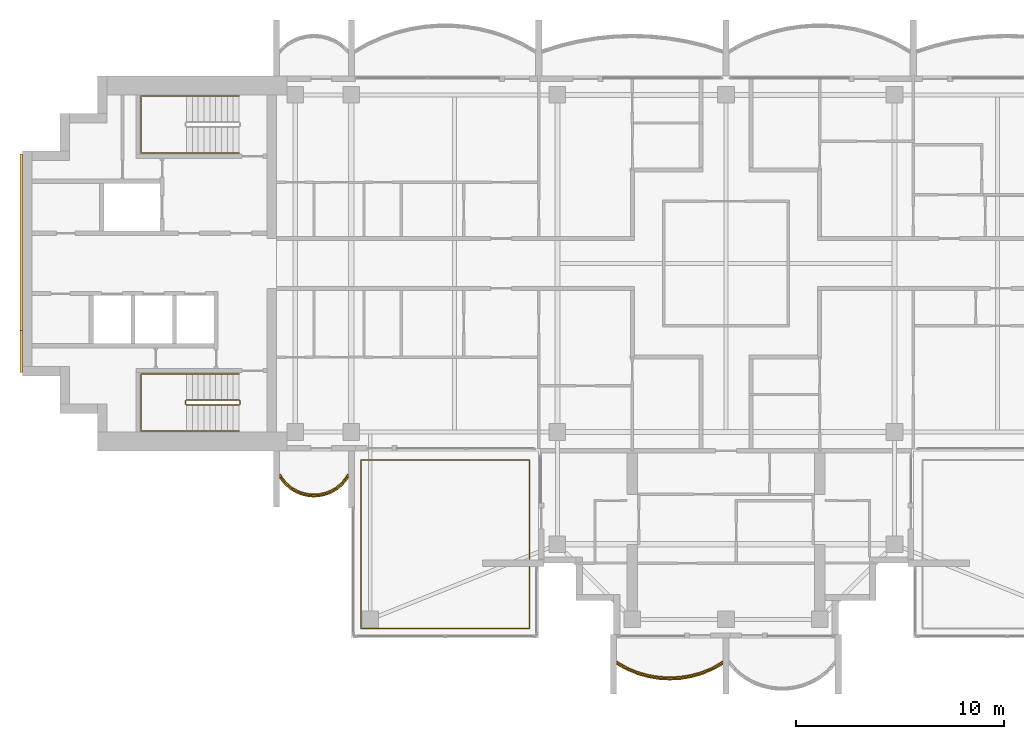
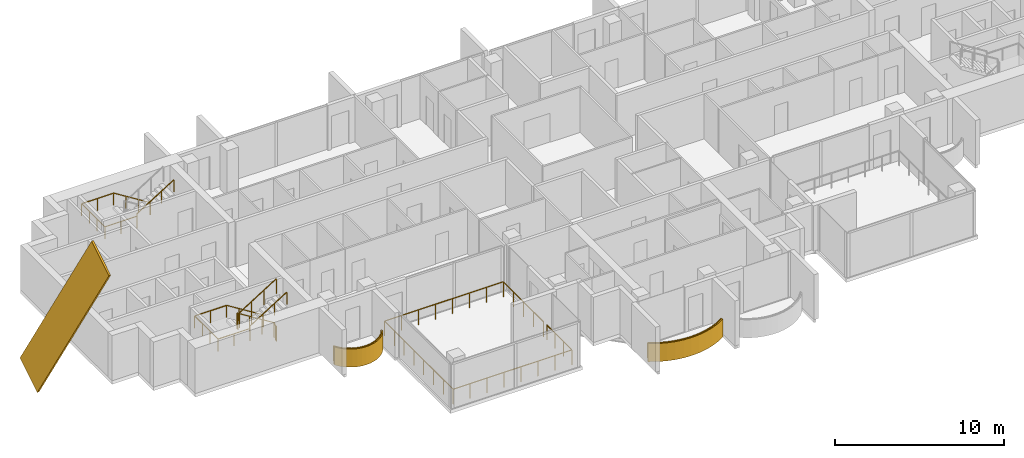
# One storey, part 14 of 17: 6 railings, 3 coverings.
"""IFC4 building model written with IfcOpenShell, lengths in metres."""

from ifc_helpers import new_model, si_unit, direction, frame, origin, origin_2d, place, context, subcontext, project, spatial, polyline, rectangle, outline, extrude, material, layer, layer_set, material_profile, profile_set, type_object, element, save


model = new_model("IFC4")

# Units and contexts
model_context = context("Model", 3, precision=1e-05, world=origin(), true_north=direction((0.0, 1.0)))
body_context = subcontext(model_context, "Body", "Model", "MODEL_VIEW")
ifc_project = project(units=[si_unit("LENGTHUNIT", "METRE"), si_unit("AREAUNIT", "SQUARE_METRE"), si_unit("VOLUMEUNIT", "CUBIC_METRE"), si_unit("PLANEANGLEUNIT", "RADIAN"), si_unit("MASSUNIT", "GRAM", prefix="KILO")], contexts=[model_context])

# Site, building, storey
site_placement = place(None, origin())
site = spatial("IfcSite", under=ifc_project, at=site_placement, CompositionType="ELEMENT")
building_placement = place(site_placement, origin())
building = spatial("IfcBuilding", under=site, at=building_placement, Name="Perihelion Cross Residences", CompositionType="ELEMENT")
storey_placement = place(building_placement, frame((0.0, 0.0, 278.0)))
storey = spatial("IfcBuildingStorey", under=building, at=storey_placement, Name="L71", CompositionType="ELEMENT", Elevation=278.0)

# Coverings
ifc_material_1 = material(Name="Bronze anodised aluminium", Category="aluminium")
ifc_layer = layer(ifc_material_1, 0.070068359375)
ifc_layer_set = layer_set([ifc_layer], Name="Balcony fascia 1300")
covering_type_1 = type_object("IfcCoveringType", Name="Balcony fascia 1300", PredefinedType="CLADDING", material=ifc_layer_set)
covering_1_placement = place(storey_placement, frame((0.0, 0.0, -0.199951171875)))
element("IfcCovering", 1, at=covering_1_placement, inside=storey, type_object=covering_type_1, Name="Fascia BF1 L71 west side south bay 1", PredefinedType="CLADDING", context=body_context, shape_type="SweptSolid", body=[
    extrude(outline(polyline([(-21.226318359375, -10.616455078125), (-20.94091796875, -10.86328125), (-20.655517578125, -11.031494140625), (-20.370361328125, -11.142578125), (-20.085205078125, -11.206298828125), (-19.800048828125, -11.22705078125), (-19.514892578125, -11.206298828125), (-19.229736328125, -11.142578125), (-18.9443359375, -11.031494140625), (-18.6591796875, -10.86328125), (-18.373779296875, -10.616455078125), (-18.14990234375, -10.31689453125), (-18.14990234375, -10.199951171875), (-18.425048828125, -10.568603515625), (-18.699951171875, -10.806396484375), (-18.97509765625, -10.96875), (-19.25, -11.07568359375), (-19.52490234375, -11.136962890625), (-19.800048828125, -11.156982421875), (-20.074951171875, -11.136962890625), (-20.35009765625, -11.07568359375), (-20.625, -10.96875), (-20.89990234375, -10.806396484375), (-21.175048828125, -10.568603515625), (-21.449951171875, -10.199951171875), (-21.449951171875, -10.31689453125), (-21.226318359375, -10.616455078125)])), origin(), (0.0, 0.0, 1.0), 1.300048828125),
])
covering_2_placement = place(storey_placement, frame((0.0, 0.0, -0.199951171875)))
element("IfcCovering", 2, at=covering_2_placement, inside=storey, type_object=covering_type_1, Name="Fascia BF1 L71 south tip south bay 1", PredefinedType="CLADDING", context=body_context, shape_type="SweptSolid", body=[
    extrude(outline(polyline([(-4.7705078125, -19.54833984375), (-4.2529296875, -19.7607421875), (-3.735107421875, -19.906494140625), (-3.217529296875, -19.991943359375), (-2.699951171875, -20.02001953125), (-2.182373046875, -19.991943359375), (-1.664794921875, -19.906494140625), (-1.147216796875, -19.7607421875), (-0.629638671875, -19.54833984375), (-0.14990234375, -19.2802734375), (-0.14990234375, -19.199951171875), (-0.659912109375, -19.4853515625), (-1.169921875, -19.694580078125), (-1.679931640625, -19.838134765625), (-2.18994140625, -19.92236328125), (-2.699951171875, -19.949951171875), (-3.2099609375, -19.92236328125), (-3.719970703125, -19.838134765625), (-4.22998046875, -19.694580078125), (-4.739990234375, -19.4853515625), (-5.25, -19.199951171875), (-5.25, -19.2802734375), (-4.7705078125, -19.54833984375)])), origin(), (0.0, 0.0, 1.0), 1.300048828125),
])

# Railings
ifc_material_2 = material(Name="Bronze anodised aluminium", Category="aluminium")
railing_type_1 = type_object("IfcRailingType", Name="Balcony guard 1100", PredefinedType="GUARDRAIL", material=ifc_material_2)
railing_1_placement = place(storey_placement, frame((-21.425048828125, -10.139892578125, 0.0)))
element("IfcRailing", 3, at=railing_1_placement, inside=storey, type_object=railing_type_1, Name="Guard GU1 L71 west side south bay 1 balcony", PredefinedType="GUARDRAIL", context=body_context, shape_type="SweptSolid", body=[
    extrude(rectangle(XDim=0.048095703125, YDim=0.048095703125, at=origin_2d()), frame((0.0, 0.0, 1.076171875), z_axis=(0.561260132269, -0.827639452857, 0.0), x_axis=(0.827639452857, 0.561260132269, 0.0)), (0.0, 0.0, 1.0), 0.4453125),
    extrude(rectangle(XDim=0.048095703125, YDim=0.048095703125, at=origin_2d()), frame((0.25, -0.36865234375, 1.076171875), z_axis=(0.756596535164, -0.653882009982, 0.0), x_axis=(0.653882009982, 0.756596535164, 0.0)), (0.0, 0.0, 1.0), 0.36376953125),
    extrude(rectangle(XDim=0.048095703125, YDim=0.048095703125, at=origin_2d()), frame((0.525146484375, -0.6064453125, 1.076171875), z_axis=(0.861048292884, -0.508523192511, 0.0), x_axis=(0.508523192511, 0.861048292884, 0.0)), (0.0, 0.0, 1.0), 0.3193359375),
    extrude(rectangle(XDim=0.048095703125, YDim=0.048095703125, at=origin_2d()), frame((0.800048828125, -0.768798828125, 1.076171875), z_axis=(0.931973602183, -0.362526143656, 0.0), x_axis=(0.362526143656, 0.931973602183, 0.0)), (0.0, 0.0, 1.0), 0.294921875),
    extrude(rectangle(XDim=0.048095703125, YDim=0.048095703125, at=origin_2d()), frame((1.074951171875, -0.875732421875, 1.076171875), z_axis=(0.976085059389, -0.21738895289, 0.0), x_axis=(0.21738895289, 0.976085059389, 0.0)), (0.0, 0.0, 1.0), 0.281982421875),
    extrude(rectangle(XDim=0.048095703125, YDim=0.048095703125, at=origin_2d()), frame((1.35009765625, -0.93701171875, 1.076171875), z_axis=(0.997358821833, -0.072631814734, 0.0), x_axis=(0.072631814734, 0.997358821833, 0.0)), (0.0, 0.0, 1.0), 0.275634765625),
    extrude(rectangle(XDim=0.048095703125, YDim=0.048095703125, at=origin_2d()), frame((1.625, -0.95703125, 1.076171875), z_axis=(0.997363488337, 0.072567707226, 0.0), x_axis=(-0.072567707226, 0.997363488337, 0.0)), (0.0, 0.0, 1.0), 0.27587890625),
    extrude(rectangle(XDim=0.048095703125, YDim=0.048095703125, at=origin_2d()), frame((1.900146484375, -0.93701171875, 1.076171875), z_axis=(0.976044077717, 0.217572880557, 0.0), x_axis=(-0.217572880557, 0.976044077717, 0.0)), (0.0, 0.0, 1.0), 0.28173828125),
    extrude(rectangle(XDim=0.048095703125, YDim=0.048095703125, at=origin_2d()), frame((2.175048828125, -0.875732421875, 1.076171875), z_axis=(0.931973602183, 0.362526143656, 0.0), x_axis=(-0.362526143656, 0.931973602183, 0.0)), (0.0, 0.0, 1.0), 0.294921875),
    extrude(rectangle(XDim=0.048095703125, YDim=0.048095703125, at=origin_2d()), frame((2.449951171875, -0.768798828125, 1.076171875), z_axis=(0.861245845072, 0.508188542123, 0.0), x_axis=(-0.508188542123, 0.861245845072, 0.0)), (0.0, 0.0, 1.0), 0.319580078125),
    extrude(rectangle(XDim=0.048095703125, YDim=0.048095703125, at=origin_2d()), frame((2.72509765625, -0.6064453125, 1.076171875), z_axis=(0.756309278473, 0.654214242658, 0.0), x_axis=(-0.654214242658, 0.756309278473, 0.0)), (0.0, 0.0, 1.0), 0.363525390625),
    extrude(rectangle(XDim=0.048095703125, YDim=0.048095703125, at=origin_2d()), frame((3.0, -0.36865234375, 1.076171875), z_axis=(0.561260132269, 0.827639452857, 0.0), x_axis=(-0.827639452857, 0.561260132269, 0.0)), (0.0, 0.0, 1.0), 0.4453125),
    extrude(rectangle(XDim=0.0419921875, YDim=0.0419921875, at=origin_2d()), origin(), (0.0, 0.0, 1.0), 1.052001953125),
    extrude(rectangle(XDim=0.0419921875, YDim=0.0419921875, at=origin_2d()), frame((0.25, -0.36865234375, 0.0)), (0.0, 0.0, 1.0), 1.052001953125),
    extrude(rectangle(XDim=0.0419921875, YDim=0.0419921875, at=origin_2d()), frame((0.525146484375, -0.6064453125, 0.0)), (0.0, 0.0, 1.0), 1.052001953125),
    extrude(rectangle(XDim=0.0419921875, YDim=0.0419921875, at=origin_2d()), frame((0.800048828125, -0.768798828125, 0.0)), (0.0, 0.0, 1.0), 1.052001953125),
    extrude(rectangle(XDim=0.0419921875, YDim=0.0419921875, at=origin_2d()), frame((1.074951171875, -0.875732421875, 0.0)), (0.0, 0.0, 1.0), 1.052001953125),
    extrude(rectangle(XDim=0.0419921875, YDim=0.0419921875, at=origin_2d()), frame((1.35009765625, -0.93701171875, 0.0)), (0.0, 0.0, 1.0), 1.052001953125),
    extrude(rectangle(XDim=0.0419921875, YDim=0.0419921875, at=origin_2d()), frame((1.625, -0.95703125, 0.0)), (0.0, 0.0, 1.0), 1.052001953125),
    extrude(rectangle(XDim=0.0419921875, YDim=0.0419921875, at=origin_2d()), frame((1.900146484375, -0.93701171875, 0.0)), (0.0, 0.0, 1.0), 1.052001953125),
    extrude(rectangle(XDim=0.0419921875, YDim=0.0419921875, at=origin_2d()), frame((2.175048828125, -0.875732421875, 0.0)), (0.0, 0.0, 1.0), 1.052001953125),
    extrude(rectangle(XDim=0.0419921875, YDim=0.0419921875, at=origin_2d()), frame((2.449951171875, -0.768798828125, 0.0)), (0.0, 0.0, 1.0), 1.052001953125),
    extrude(rectangle(XDim=0.0419921875, YDim=0.0419921875, at=origin_2d()), frame((2.72509765625, -0.6064453125, 0.0)), (0.0, 0.0, 1.0), 1.052001953125),
    extrude(rectangle(XDim=0.0419921875, YDim=0.0419921875, at=origin_2d()), frame((3.0, -0.36865234375, 0.0)), (0.0, 0.0, 1.0), 1.052001953125),
    extrude(rectangle(XDim=0.0419921875, YDim=0.0419921875, at=origin_2d()), frame((3.25, 0.0, 0.0)), (0.0, 0.0, 1.0), 1.052001953125),
])
railing_2_placement = place(storey_placement, frame((-5.22509765625, -19.139892578125, 0.0)))
element("IfcRailing", 4, at=railing_2_placement, inside=storey, type_object=railing_type_1, Name="Guard GU1 L71 south tip south bay 1 balcony", PredefinedType="GUARDRAIL", context=body_context, shape_type="SweptSolid", body=[
    extrude(rectangle(XDim=0.048095703125, YDim=0.048095703125, at=origin_2d()), frame((0.0, 0.0, 1.076171875), z_axis=(0.861900760591, -0.507076995033, 0.0), x_axis=(0.507076995033, 0.861900760591, 0.0)), (0.0, 0.0, 1.0), 0.562744140625),
    extrude(rectangle(XDim=0.048095703125, YDim=0.048095703125, at=origin_2d()), frame((0.485107421875, -0.285400390625, 1.076171875), z_axis=(0.925172605972, -0.379546636342, 0.0), x_axis=(0.379546636342, 0.925172605972, 0.0)), (0.0, 0.0, 1.0), 0.55126953125),
    extrude(rectangle(XDim=0.048095703125, YDim=0.048095703125, at=origin_2d()), frame((0.9951171875, -0.49462890625, 1.076171875), z_axis=(0.962474364231, -0.271372618732, 0.0), x_axis=(0.271372618732, 0.962474364231, 0.0)), (0.0, 0.0, 1.0), 0.52978515625),
    extrude(rectangle(XDim=0.048095703125, YDim=0.048095703125, at=origin_2d()), frame((1.505126953125, -0.638427734375, 1.076171875), z_axis=(0.986711211531, -0.162483799314, 0.0), x_axis=(0.162483799314, 0.986711211531, 0.0)), (0.0, 0.0, 1.0), 0.516845703125),
    extrude(rectangle(XDim=0.048095703125, YDim=0.048095703125, at=origin_2d()), frame((2.01513671875, -0.722412109375, 1.076171875), z_axis=(0.998540183677, -0.05401390175, 0.0), x_axis=(0.05401390175, 0.998540183677, 0.0)), (0.0, 0.0, 1.0), 0.5107421875),
    extrude(rectangle(XDim=0.048095703125, YDim=0.048095703125, at=origin_2d()), frame((2.525146484375, -0.75, 1.076171875), z_axis=(0.998540183677, 0.05401390175, 0.0), x_axis=(-0.05401390175, 0.998540183677, 0.0)), (0.0, 0.0, 1.0), 0.5107421875),
    extrude(rectangle(XDim=0.048095703125, YDim=0.048095703125, at=origin_2d()), frame((3.03515625, -0.722412109375, 1.076171875), z_axis=(0.986711211531, 0.162483799314, 0.0), x_axis=(-0.162483799314, 0.986711211531, 0.0)), (0.0, 0.0, 1.0), 0.516845703125),
    extrude(rectangle(XDim=0.048095703125, YDim=0.048095703125, at=origin_2d()), frame((3.545166015625, -0.638427734375, 1.076171875), z_axis=(0.962474364231, 0.271372618732, 0.0), x_axis=(-0.271372618732, 0.962474364231, 0.0)), (0.0, 0.0, 1.0), 0.52978515625),
    extrude(rectangle(XDim=0.048095703125, YDim=0.048095703125, at=origin_2d()), frame((4.05517578125, -0.49462890625, 1.076171875), z_axis=(0.925172605972, 0.379546636342, 0.0), x_axis=(-0.379546636342, 0.925172605972, 0.0)), (0.0, 0.0, 1.0), 0.55126953125),
    extrude(rectangle(XDim=0.048095703125, YDim=0.048095703125, at=origin_2d()), frame((4.565185546875, -0.285400390625, 1.076171875), z_axis=(0.861789164031, 0.507266632806, 0.0), x_axis=(-0.507266632806, 0.861789164031, 0.0)), (0.0, 0.0, 1.0), 0.562744140625),
    extrude(rectangle(XDim=0.0419921875, YDim=0.0419921875, at=origin_2d()), origin(), (0.0, 0.0, 1.0), 1.052001953125),
    extrude(rectangle(XDim=0.0419921875, YDim=0.0419921875, at=origin_2d()), frame((0.485107421875, -0.285400390625, 0.0)), (0.0, 0.0, 1.0), 1.052001953125),
    extrude(rectangle(XDim=0.0419921875, YDim=0.0419921875, at=origin_2d()), frame((0.9951171875, -0.49462890625, 0.0)), (0.0, 0.0, 1.0), 1.052001953125),
    extrude(rectangle(XDim=0.0419921875, YDim=0.0419921875, at=origin_2d()), frame((1.505126953125, -0.638427734375, 0.0)), (0.0, 0.0, 1.0), 1.052001953125),
    extrude(rectangle(XDim=0.0419921875, YDim=0.0419921875, at=origin_2d()), frame((2.01513671875, -0.722412109375, 0.0)), (0.0, 0.0, 1.0), 1.052001953125),
    extrude(rectangle(XDim=0.0419921875, YDim=0.0419921875, at=origin_2d()), frame((2.525146484375, -0.75, 0.0)), (0.0, 0.0, 1.0), 1.052001953125),
    extrude(rectangle(XDim=0.0419921875, YDim=0.0419921875, at=origin_2d()), frame((3.03515625, -0.722412109375, 0.0)), (0.0, 0.0, 1.0), 1.052001953125),
    extrude(rectangle(XDim=0.0419921875, YDim=0.0419921875, at=origin_2d()), frame((3.545166015625, -0.638427734375, 0.0)), (0.0, 0.0, 1.0), 1.052001953125),
    extrude(rectangle(XDim=0.0419921875, YDim=0.0419921875, at=origin_2d()), frame((4.05517578125, -0.49462890625, 0.0)), (0.0, 0.0, 1.0), 1.052001953125),
    extrude(rectangle(XDim=0.0419921875, YDim=0.0419921875, at=origin_2d()), frame((4.565185546875, -0.285400390625, 0.0)), (0.0, 0.0, 1.0), 1.052001953125),
    extrude(rectangle(XDim=0.0419921875, YDim=0.0419921875, at=origin_2d()), frame((5.050048828125, 0.0, 0.0)), (0.0, 0.0, 1.0), 1.052001953125),
])
railing_3_placement = place(storey_placement, frame((-9.449951171875, -14.590087890625, 0.0)))
element("IfcRailing", 5, at=railing_3_placement, inside=storey, type_object=railing_type_1, Name="Guard GU1 L71 pocket south-west 1", PredefinedType="GUARDRAIL", context=body_context, shape_type="SweptSolid", body=[
    extrude(rectangle(XDim=0.048095703125, YDim=0.048095703125, at=origin_2d()), frame((0.0, 0.0, 1.076171875), z_axis=(0.0, -1.0, 0.0), x_axis=(1.0, 0.0, 0.0)), (0.0, 0.0, 1.0), 2.9599609375),
    extrude(rectangle(XDim=0.048095703125, YDim=0.048095703125, at=origin_2d()), frame((0.0, -2.9599609375, 1.076171875), z_axis=(-1.0, 0.0, 0.0), x_axis=(0.0, -1.0, 0.0)), (0.0, 0.0, 1.0), 8.10009765625),
    extrude(rectangle(XDim=0.048095703125, YDim=0.048095703125, at=origin_2d()), frame((-8.10009765625, -2.9599609375, 1.076171875), z_axis=(0.0, 1.0, 0.0), x_axis=(-1.0, 0.0, 0.0)), (0.0, 0.0, 1.0), 8.10009765625),
    extrude(rectangle(XDim=0.048095703125, YDim=0.048095703125, at=origin_2d()), frame((-8.10009765625, 5.14013671875, 1.076171875), z_axis=(1.0, 0.0, 0.0), x_axis=(0.0, 1.0, 0.0)), (0.0, 0.0, 1.0), 8.10009765625),
    extrude(rectangle(XDim=0.048095703125, YDim=0.048095703125, at=origin_2d()), frame((0.0, 5.14013671875, 1.076171875), z_axis=(0.0, -1.0, 0.0), x_axis=(1.0, 0.0, 0.0)), (0.0, 0.0, 1.0), 4.760009765625),
    extrude(rectangle(XDim=0.0419921875, YDim=0.0419921875, at=origin_2d()), origin(), (0.0, 0.0, 1.0), 1.052001953125),
    extrude(rectangle(XDim=0.0419921875, YDim=0.0419921875, at=origin_2d()), frame((0.0, -0.986572265625, 0.0)), (0.0, 0.0, 1.0), 1.052001953125),
    extrude(rectangle(XDim=0.0419921875, YDim=0.0419921875, at=origin_2d()), frame((0.0, -1.973388671875, 0.0)), (0.0, 0.0, 1.0), 1.052001953125),
    extrude(rectangle(XDim=0.0419921875, YDim=0.0419921875, at=origin_2d()), frame((0.0, -2.9599609375, 0.0)), (0.0, 0.0, 1.0), 1.052001953125),
    extrude(rectangle(XDim=0.0419921875, YDim=0.0419921875, at=origin_2d()), frame((-1.1572265625, -2.9599609375, 0.0)), (0.0, 0.0, 1.0), 1.052001953125),
    extrude(rectangle(XDim=0.0419921875, YDim=0.0419921875, at=origin_2d()), frame((-2.314208984375, -2.9599609375, 0.0)), (0.0, 0.0, 1.0), 1.052001953125),
    extrude(rectangle(XDim=0.0419921875, YDim=0.0419921875, at=origin_2d()), frame((-3.471435546875, -2.9599609375, 0.0)), (0.0, 0.0, 1.0), 1.052001953125),
    extrude(rectangle(XDim=0.0419921875, YDim=0.0419921875, at=origin_2d()), frame((-4.628662109375, -2.9599609375, 0.0)), (0.0, 0.0, 1.0), 1.052001953125),
    extrude(rectangle(XDim=0.0419921875, YDim=0.0419921875, at=origin_2d()), frame((-5.785888671875, -2.9599609375, 0.0)), (0.0, 0.0, 1.0), 1.052001953125),
    extrude(rectangle(XDim=0.0419921875, YDim=0.0419921875, at=origin_2d()), frame((-6.94287109375, -2.9599609375, 0.0)), (0.0, 0.0, 1.0), 1.052001953125),
    extrude(rectangle(XDim=0.0419921875, YDim=0.0419921875, at=origin_2d()), frame((-8.10009765625, -2.9599609375, 0.0)), (0.0, 0.0, 1.0), 1.052001953125),
    extrude(rectangle(XDim=0.0419921875, YDim=0.0419921875, at=origin_2d()), frame((-8.10009765625, -1.802734375, 0.0)), (0.0, 0.0, 1.0), 1.052001953125),
    extrude(rectangle(XDim=0.0419921875, YDim=0.0419921875, at=origin_2d()), frame((-8.10009765625, -0.645751953125, 0.0)), (0.0, 0.0, 1.0), 1.052001953125),
    extrude(rectangle(XDim=0.0419921875, YDim=0.0419921875, at=origin_2d()), frame((-8.10009765625, 0.511474609375, 0.0)), (0.0, 0.0, 1.0), 1.052001953125),
    extrude(rectangle(XDim=0.0419921875, YDim=0.0419921875, at=origin_2d()), frame((-8.10009765625, 1.668701171875, 0.0)), (0.0, 0.0, 1.0), 1.052001953125),
    extrude(rectangle(XDim=0.0419921875, YDim=0.0419921875, at=origin_2d()), frame((-8.10009765625, 2.825927734375, 0.0)), (0.0, 0.0, 1.0), 1.052001953125),
    extrude(rectangle(XDim=0.0419921875, YDim=0.0419921875, at=origin_2d()), frame((-8.10009765625, 3.98291015625, 0.0)), (0.0, 0.0, 1.0), 1.052001953125),
    extrude(rectangle(XDim=0.0419921875, YDim=0.0419921875, at=origin_2d()), frame((-8.10009765625, 5.14013671875, 0.0)), (0.0, 0.0, 1.0), 1.052001953125),
    extrude(rectangle(XDim=0.0419921875, YDim=0.0419921875, at=origin_2d()), frame((-6.94287109375, 5.14013671875, 0.0)), (0.0, 0.0, 1.0), 1.052001953125),
    extrude(rectangle(XDim=0.0419921875, YDim=0.0419921875, at=origin_2d()), frame((-5.785888671875, 5.14013671875, 0.0)), (0.0, 0.0, 1.0), 1.052001953125),
    extrude(rectangle(XDim=0.0419921875, YDim=0.0419921875, at=origin_2d()), frame((-4.628662109375, 5.14013671875, 0.0)), (0.0, 0.0, 1.0), 1.052001953125),
    extrude(rectangle(XDim=0.0419921875, YDim=0.0419921875, at=origin_2d()), frame((-3.471435546875, 5.14013671875, 0.0)), (0.0, 0.0, 1.0), 1.052001953125),
    extrude(rectangle(XDim=0.0419921875, YDim=0.0419921875, at=origin_2d()), frame((-2.314208984375, 5.14013671875, 0.0)), (0.0, 0.0, 1.0), 1.052001953125),
    extrude(rectangle(XDim=0.0419921875, YDim=0.0419921875, at=origin_2d()), frame((-1.1572265625, 5.14013671875, 0.0)), (0.0, 0.0, 1.0), 1.052001953125),
    extrude(rectangle(XDim=0.0419921875, YDim=0.0419921875, at=origin_2d()), frame((0.0, 5.14013671875, 0.0)), (0.0, 0.0, 1.0), 1.052001953125),
    extrude(rectangle(XDim=0.0419921875, YDim=0.0419921875, at=origin_2d()), frame((0.0, 3.9501953125, 0.0)), (0.0, 0.0, 1.0), 1.052001953125),
    extrude(rectangle(XDim=0.0419921875, YDim=0.0419921875, at=origin_2d()), frame((0.0, 2.76025390625, 0.0)), (0.0, 0.0, 1.0), 1.052001953125),
    extrude(rectangle(XDim=0.0419921875, YDim=0.0419921875, at=origin_2d()), frame((0.0, 1.570068359375, 0.0)), (0.0, 0.0, 1.0), 1.052001953125),
    extrude(rectangle(XDim=0.0419921875, YDim=0.0419921875, at=origin_2d()), frame((0.0, 0.380126953125, 0.0)), (0.0, 0.0, 1.0), 1.052001953125),
])

# Covering
ifc_material_3 = material(Name="Bronze anodised aluminium", Category="aluminium")
ifc_material_profile = material_profile(ifc_material_3, rectangle(XDim=0.125, YDim=2.39990234375, at=origin_2d()), Name="Bronze cladding band 2400")
ifc_profile_set = profile_set([ifc_material_profile], Name="Bronze anodised aluminium")
covering_type_2 = type_object("IfcCoveringType", Name="Bronze cladding band 2400", PredefinedType="CLADDING", material=ifc_profile_set)
covering_3_placement = place(storey_placement, frame((-33.862548828125, 4.232421875, -5.384033203125), z_axis=(0.0, -0.529924750763, 0.848044667767), x_axis=(1.0, 0.0, 0.0)))
element("IfcCovering", 6, at=covering_3_placement, inside=storey, type_object=covering_type_2, Name="Core cladding band, west core", PredefinedType="CLADDING", context=body_context, shape_type="SweptSolid", body=[
    extrude(rectangle(XDim=0.125, YDim=2.39990234375, at=origin_2d()), origin(), (0.0, 0.0, 1.0), 15.9736328125),
])

# Railings
ifc_material_4 = material(Name="Stainless steel", Category="steel")
railing_type_2 = type_object("IfcRailingType", Name="Stair guard 1100", PredefinedType="GUARDRAIL", material=ifc_material_4)
railing_4_placement = place(storey_placement, frame((-23.35009765625, -6.75, 0.0)))
element("IfcRailing", 7, at=railing_4_placement, inside=storey, type_object=railing_type_2, Name="L71 ST-W2 stair guard 1", PredefinedType="GUARDRAIL", context=body_context, shape_type="SweptSolid", body=[
    extrude(rectangle(XDim=0.048095703125, YDim=0.048095703125, at=origin_2d()), frame((0.0, 0.0, 1.076171875), z_axis=(0.0, 1.0, 0.0), x_axis=(-1.0, 0.0, 0.0)), (0.0, 0.0, 1.0), 0.14990234375),
    extrude(rectangle(XDim=0.048095703125, YDim=0.048095703125, at=origin_2d()), frame((0.0, 0.14990234375, 1.076171875), z_axis=(-0.263862480399, 0.265155923931, 0.927399011991), x_axis=(-0.708833529934, -0.705375805398, 0.0)), (0.0, 0.0, 1.0), 0.188720703125),
    extrude(rectangle(XDim=0.048095703125, YDim=0.048095703125, at=origin_2d()), frame((-0.0498046875, 0.199951171875, 1.2509765625), z_axis=(-0.848007534815, 0.0, 0.529984170421), x_axis=(0.0, -1.0, 0.0)), (0.0, 0.0, 1.0), 2.9716796875),
    extrude(rectangle(XDim=0.048095703125, YDim=0.048095703125, at=origin_2d()), frame((-2.56982421875, 0.199951171875, 2.826171875), z_axis=(-0.707106781187, -0.707106781187, 0.0), x_axis=(0.707106781187, -0.707106781187, 0.0)), (0.0, 0.0, 1.0), 0.07080078125),
    extrude(rectangle(XDim=0.048095703125, YDim=0.048095703125, at=origin_2d()), frame((-2.619873046875, 0.14990234375, 2.826171875), z_axis=(0.0, -1.0, 0.0), x_axis=(1.0, 0.0, 0.0)), (0.0, 0.0, 1.0), 0.14990234375),
    extrude(rectangle(XDim=0.048095703125, YDim=0.048095703125, at=origin_2d()), frame((-2.619873046875, 0.0, 2.826171875), z_axis=(0.265065253269, -0.265065253269, 0.927081885822), x_axis=(0.707106781187, 0.707106781187, 0.0)), (0.0, 0.0, 1.0), 0.188720703125),
    extrude(rectangle(XDim=0.048095703125, YDim=0.048095703125, at=origin_2d()), frame((-2.56982421875, -0.050048828125, 3.0009765625), z_axis=(0.848007534815, 0.0, 0.529984170421), x_axis=(0.0, 1.0, 0.0)), (0.0, 0.0, 1.0), 2.9716796875),
    extrude(rectangle(XDim=0.0419921875, YDim=0.0419921875, at=origin_2d()), origin(), (0.0, 0.0, 1.0), 1.052001953125),
    extrude(rectangle(XDim=0.0419921875, YDim=0.0419921875, at=origin_2d()), frame((0.0, 0.14990234375, 0.0)), (0.0, 0.0, 1.0), 1.052001953125),
    extrude(rectangle(XDim=0.0419921875, YDim=0.0419921875, at=origin_2d()), frame((-0.0498046875, 0.199951171875, 0.175048828125)), (0.0, 0.0, 1.0), 1.052001953125),
    extrude(rectangle(XDim=0.0419921875, YDim=0.0419921875, at=origin_2d()), frame((-0.889892578125, 0.199951171875, 0.699951171875)), (0.0, 0.0, 1.0), 1.052001953125),
    extrude(rectangle(XDim=0.0419921875, YDim=0.0419921875, at=origin_2d()), frame((-1.729736328125, 0.199951171875, 1.22509765625)), (0.0, 0.0, 1.0), 1.052001953125),
    extrude(rectangle(XDim=0.0419921875, YDim=0.0419921875, at=origin_2d()), frame((-2.56982421875, 0.199951171875, 1.75)), (0.0, 0.0, 1.0), 1.052001953125),
    extrude(rectangle(XDim=0.0419921875, YDim=0.0419921875, at=origin_2d()), frame((-2.619873046875, 0.14990234375, 1.75)), (0.0, 0.0, 1.0), 1.052001953125),
    extrude(rectangle(XDim=0.0419921875, YDim=0.0419921875, at=origin_2d()), frame((-2.619873046875, 0.0, 1.75)), (0.0, 0.0, 1.0), 1.052001953125),
    extrude(rectangle(XDim=0.0419921875, YDim=0.0419921875, at=origin_2d()), frame((-2.56982421875, -0.050048828125, 1.925048828125)), (0.0, 0.0, 1.0), 1.052001953125),
    extrude(rectangle(XDim=0.0419921875, YDim=0.0419921875, at=origin_2d()), frame((-1.729736328125, -0.050048828125, 2.449951171875)), (0.0, 0.0, 1.0), 1.052001953125),
    extrude(rectangle(XDim=0.0419921875, YDim=0.0419921875, at=origin_2d()), frame((-0.889892578125, -0.050048828125, 2.97509765625)), (0.0, 0.0, 1.0), 1.052001953125),
    extrude(rectangle(XDim=0.0419921875, YDim=0.0419921875, at=origin_2d()), frame((-0.0498046875, -0.050048828125, 3.5)), (0.0, 0.0, 1.0), 1.052001953125),
])
ifc_material_5 = material(Name="Stainless steel", Category="steel")
railing_type_3 = type_object("IfcRailingType", Name="Stair handrail 900", PredefinedType="HANDRAIL", material=ifc_material_5)
railing_5_placement = place(storey_placement, frame((-23.39990234375, 8.050048828125, 0.175048828125)))
element("IfcRailing", 8, at=railing_5_placement, inside=storey, type_object=railing_type_3, Name="L71 ST-W1 stair handrail 1", PredefinedType="HANDRAIL", context=body_context, shape_type="SweptSolid", body=[
    extrude(rectangle(XDim=0.048095703125, YDim=0.048095703125, at=origin_2d()), frame((0.0, 0.0, 0.8759765625), z_axis=(-0.848007534815, 0.0, 0.529984170421), x_axis=(0.0, -1.0, 0.0)), (0.0, 0.0, 1.0), 2.9716796875),
    extrude(rectangle(XDim=0.048095703125, YDim=0.048095703125, at=origin_2d()), frame((-2.52001953125, 0.0, 2.45068359375), z_axis=(-1.0, 0.0, 0.0), x_axis=(0.0, -1.0, 0.0)), (0.0, 0.0, 1.0), 2.18017578125),
    extrude(rectangle(XDim=0.048095703125, YDim=0.048095703125, at=origin_2d()), frame((-4.7001953125, 0.0, 2.45068359375), z_axis=(0.0, -1.0, 0.0), x_axis=(1.0, 0.0, 0.0)), (0.0, 0.0, 1.0), 2.75),
    extrude(rectangle(XDim=0.048095703125, YDim=0.048095703125, at=origin_2d()), frame((-4.7001953125, -2.75, 2.45068359375), z_axis=(1.0, 0.0, 0.0), x_axis=(0.0, 1.0, 0.0)), (0.0, 0.0, 1.0), 2.18017578125),
    extrude(rectangle(XDim=0.048095703125, YDim=0.048095703125, at=origin_2d()), frame((-2.52001953125, -2.75, 2.45068359375), z_axis=(0.0, 0.0, 1.0), x_axis=(1.0, 0.0, 0.0)), (0.0, 0.0, 1.0), 0.175048828125),
    extrude(rectangle(XDim=0.048095703125, YDim=0.048095703125, at=origin_2d()), frame((-2.52001953125, -2.75, 2.6259765625), z_axis=(0.848007534815, 0.0, 0.529984170421), x_axis=(0.0, 1.0, 0.0)), (0.0, 0.0, 1.0), 2.9716796875),
    extrude(rectangle(XDim=0.0419921875, YDim=0.0419921875, at=origin_2d()), origin(), (0.0, 0.0, 1.0), 0.851806640625),
    extrude(rectangle(XDim=0.0419921875, YDim=0.0419921875, at=origin_2d()), frame((-0.840087890625, 0.0, 0.52490234375)), (0.0, 0.0, 1.0), 0.851806640625),
    extrude(rectangle(XDim=0.0419921875, YDim=0.0419921875, at=origin_2d()), frame((-1.679931640625, 0.0, 1.050048828125)), (0.0, 0.0, 1.0), 0.851806640625),
    extrude(rectangle(XDim=0.0419921875, YDim=0.0419921875, at=origin_2d()), frame((-2.52001953125, 0.0, 1.574951171875)), (0.0, 0.0, 1.0), 0.851806640625),
    extrude(rectangle(XDim=0.0419921875, YDim=0.0419921875, at=origin_2d()), frame((-3.610107421875, 0.0, 1.574951171875)), (0.0, 0.0, 1.0), 0.851806640625),
    extrude(rectangle(XDim=0.0419921875, YDim=0.0419921875, at=origin_2d()), frame((-4.7001953125, 0.0, 1.574951171875)), (0.0, 0.0, 1.0), 0.851806640625),
    extrude(rectangle(XDim=0.0419921875, YDim=0.0419921875, at=origin_2d()), frame((-4.7001953125, -0.916748046875, 1.574951171875)), (0.0, 0.0, 1.0), 0.851806640625),
    extrude(rectangle(XDim=0.0419921875, YDim=0.0419921875, at=origin_2d()), frame((-4.7001953125, -1.833251953125, 1.574951171875)), (0.0, 0.0, 1.0), 0.851806640625),
    extrude(rectangle(XDim=0.0419921875, YDim=0.0419921875, at=origin_2d()), frame((-4.7001953125, -2.75, 1.574951171875)), (0.0, 0.0, 1.0), 0.851806640625),
    extrude(rectangle(XDim=0.0419921875, YDim=0.0419921875, at=origin_2d()), frame((-3.610107421875, -2.75, 1.574951171875)), (0.0, 0.0, 1.0), 0.851806640625),
    extrude(rectangle(XDim=0.0419921875, YDim=0.0419921875, at=origin_2d()), frame((-2.52001953125, -2.75, 1.574951171875)), (0.0, 0.0, 1.0), 0.851806640625),
    extrude(rectangle(XDim=0.0419921875, YDim=0.0419921875, at=origin_2d()), frame((-2.52001953125, -2.75, 1.75)), (0.0, 0.0, 1.0), 0.851806640625),
    extrude(rectangle(XDim=0.0419921875, YDim=0.0419921875, at=origin_2d()), frame((-1.679931640625, -2.75, 2.27490234375)), (0.0, 0.0, 1.0), 0.851806640625),
    extrude(rectangle(XDim=0.0419921875, YDim=0.0419921875, at=origin_2d()), frame((-0.840087890625, -2.75, 2.800048828125)), (0.0, 0.0, 1.0), 0.851806640625),
    extrude(rectangle(XDim=0.0419921875, YDim=0.0419921875, at=origin_2d()), frame((0.0, -2.75, 3.324951171875)), (0.0, 0.0, 1.0), 0.851806640625),
])
railing_6_placement = place(storey_placement, frame((-23.39990234375, -5.300048828125, 0.175048828125)))
element("IfcRailing", 9, at=railing_6_placement, inside=storey, type_object=railing_type_3, Name="L71 ST-W2 stair handrail 1", PredefinedType="HANDRAIL", context=body_context, shape_type="SweptSolid", body=[
    extrude(rectangle(XDim=0.048095703125, YDim=0.048095703125, at=origin_2d()), frame((0.0, 0.0, 0.8759765625), z_axis=(-0.848007534815, 0.0, 0.529984170421), x_axis=(0.0, -1.0, 0.0)), (0.0, 0.0, 1.0), 2.9716796875),
    extrude(rectangle(XDim=0.048095703125, YDim=0.048095703125, at=origin_2d()), frame((-2.52001953125, 0.0, 2.45068359375), z_axis=(-1.0, 0.0, 0.0), x_axis=(0.0, -1.0, 0.0)), (0.0, 0.0, 1.0), 2.18017578125),
    extrude(rectangle(XDim=0.048095703125, YDim=0.048095703125, at=origin_2d()), frame((-4.7001953125, 0.0, 2.45068359375), z_axis=(0.0, -1.0, 0.0), x_axis=(1.0, 0.0, 0.0)), (0.0, 0.0, 1.0), 2.75),
    extrude(rectangle(XDim=0.048095703125, YDim=0.048095703125, at=origin_2d()), frame((-4.7001953125, -2.75, 2.45068359375), z_axis=(1.0, 0.0, 0.0), x_axis=(0.0, 1.0, 0.0)), (0.0, 0.0, 1.0), 2.18017578125),
    extrude(rectangle(XDim=0.048095703125, YDim=0.048095703125, at=origin_2d()), frame((-2.52001953125, -2.75, 2.45068359375), z_axis=(0.0, 0.0, 1.0), x_axis=(1.0, 0.0, 0.0)), (0.0, 0.0, 1.0), 0.175048828125),
    extrude(rectangle(XDim=0.048095703125, YDim=0.048095703125, at=origin_2d()), frame((-2.52001953125, -2.75, 2.6259765625), z_axis=(0.848007534815, 0.0, 0.529984170421), x_axis=(0.0, 1.0, 0.0)), (0.0, 0.0, 1.0), 2.9716796875),
    extrude(rectangle(XDim=0.0419921875, YDim=0.0419921875, at=origin_2d()), origin(), (0.0, 0.0, 1.0), 0.851806640625),
    extrude(rectangle(XDim=0.0419921875, YDim=0.0419921875, at=origin_2d()), frame((-0.840087890625, 0.0, 0.52490234375)), (0.0, 0.0, 1.0), 0.851806640625),
    extrude(rectangle(XDim=0.0419921875, YDim=0.0419921875, at=origin_2d()), frame((-1.679931640625, 0.0, 1.050048828125)), (0.0, 0.0, 1.0), 0.851806640625),
    extrude(rectangle(XDim=0.0419921875, YDim=0.0419921875, at=origin_2d()), frame((-2.52001953125, 0.0, 1.574951171875)), (0.0, 0.0, 1.0), 0.851806640625),
    extrude(rectangle(XDim=0.0419921875, YDim=0.0419921875, at=origin_2d()), frame((-3.610107421875, 0.0, 1.574951171875)), (0.0, 0.0, 1.0), 0.851806640625),
    extrude(rectangle(XDim=0.0419921875, YDim=0.0419921875, at=origin_2d()), frame((-4.7001953125, 0.0, 1.574951171875)), (0.0, 0.0, 1.0), 0.851806640625),
    extrude(rectangle(XDim=0.0419921875, YDim=0.0419921875, at=origin_2d()), frame((-4.7001953125, -0.916748046875, 1.574951171875)), (0.0, 0.0, 1.0), 0.851806640625),
    extrude(rectangle(XDim=0.0419921875, YDim=0.0419921875, at=origin_2d()), frame((-4.7001953125, -1.833251953125, 1.574951171875)), (0.0, 0.0, 1.0), 0.851806640625),
    extrude(rectangle(XDim=0.0419921875, YDim=0.0419921875, at=origin_2d()), frame((-4.7001953125, -2.75, 1.574951171875)), (0.0, 0.0, 1.0), 0.851806640625),
    extrude(rectangle(XDim=0.0419921875, YDim=0.0419921875, at=origin_2d()), frame((-3.610107421875, -2.75, 1.574951171875)), (0.0, 0.0, 1.0), 0.851806640625),
    extrude(rectangle(XDim=0.0419921875, YDim=0.0419921875, at=origin_2d()), frame((-2.52001953125, -2.75, 1.574951171875)), (0.0, 0.0, 1.0), 0.851806640625),
    extrude(rectangle(XDim=0.0419921875, YDim=0.0419921875, at=origin_2d()), frame((-2.52001953125, -2.75, 1.75)), (0.0, 0.0, 1.0), 0.851806640625),
    extrude(rectangle(XDim=0.0419921875, YDim=0.0419921875, at=origin_2d()), frame((-1.679931640625, -2.75, 2.27490234375)), (0.0, 0.0, 1.0), 0.851806640625),
    extrude(rectangle(XDim=0.0419921875, YDim=0.0419921875, at=origin_2d()), frame((-0.840087890625, -2.75, 2.800048828125)), (0.0, 0.0, 1.0), 0.851806640625),
    extrude(rectangle(XDim=0.0419921875, YDim=0.0419921875, at=origin_2d()), frame((0.0, -2.75, 3.324951171875)), (0.0, 0.0, 1.0), 0.851806640625),
])

save(model, "model.ifc")
